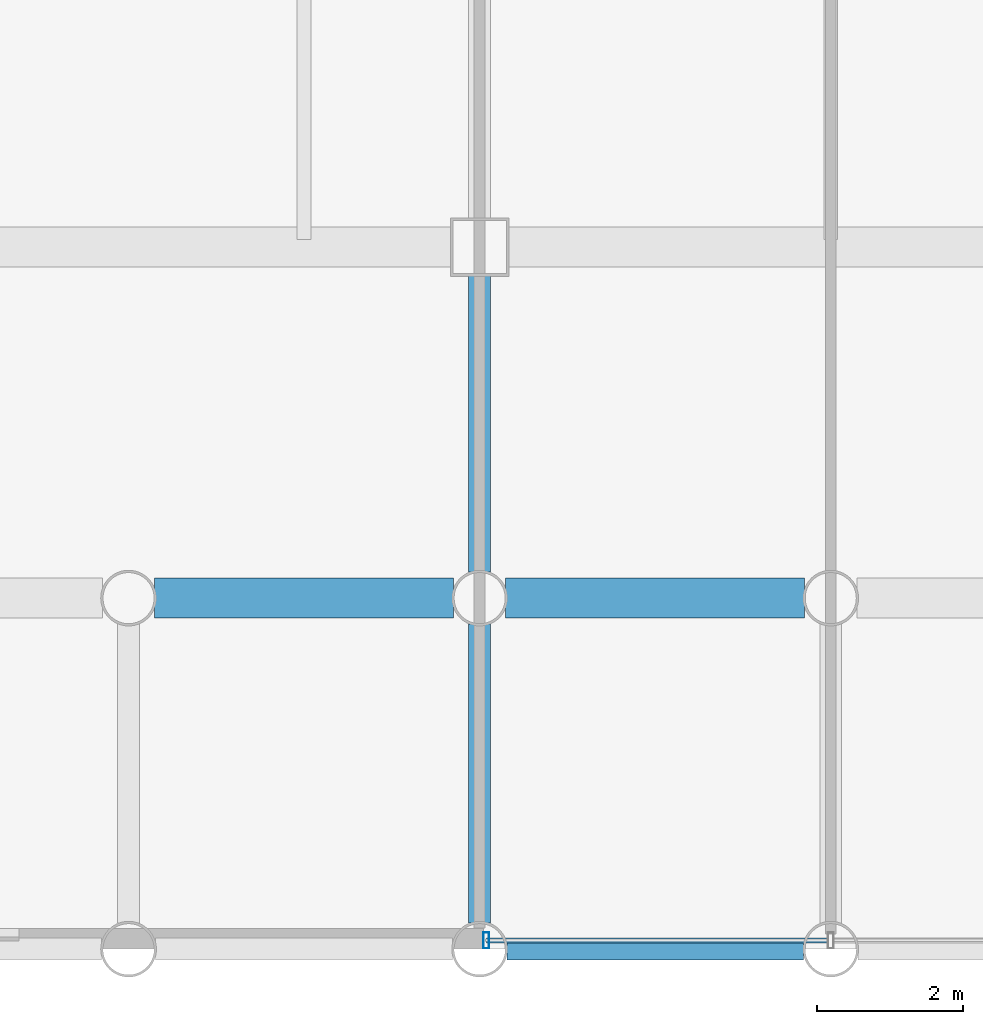
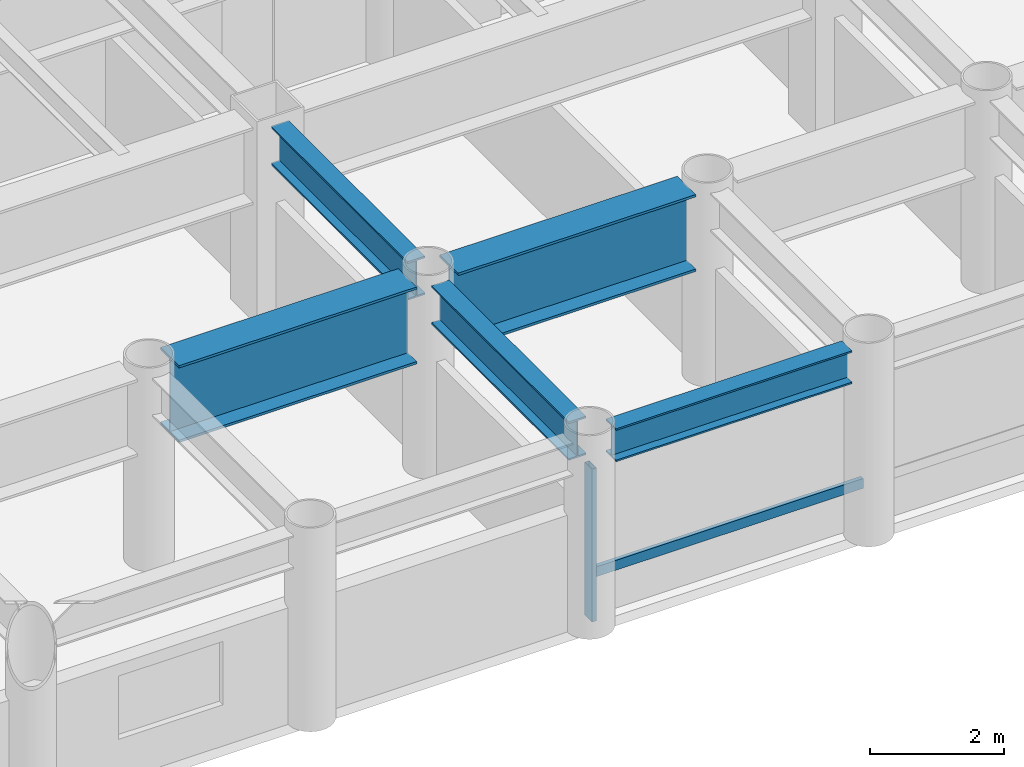
# One storey, part 4 of 26: 5 beams, 2 members, 1 element without a shape of its own.
"""IFC4 building model written with IfcOpenShell, lengths in metres."""

from ifc_helpers import new_model, si_unit, direction, frame, origin, origin_2d, place, context, subcontext, project, spatial, hollow_rectangle, i_section, extrude, material, layer, layer_set, material_profile, profile_set, type_object, element, aggregate, save


model = new_model("IFC4")

# Units and contexts
model_context = context("Model", 3, precision=1e-05, world=origin(), true_north=direction((0.0, 1.0)))
body_context = subcontext(model_context, "Body", "Model", "MODEL_VIEW")
ifc_project = project(units=[si_unit("LENGTHUNIT", "METRE"), si_unit("AREAUNIT", "SQUARE_METRE"), si_unit("VOLUMEUNIT", "CUBIC_METRE"), si_unit("PLANEANGLEUNIT", "RADIAN"), si_unit("MASSUNIT", "GRAM", prefix="KILO")], contexts=[model_context])

# Site, building, storey
site_placement = place(None, origin())
site = spatial("IfcSite", under=ifc_project, at=site_placement, CompositionType="ELEMENT")
building_placement = place(site_placement, origin())
building = spatial("IfcBuilding", under=site, at=building_placement, Name="Kallvorn Hotel Tower", CompositionType="ELEMENT")
storey_placement = place(building_placement, frame((0.0, 0.0, 55.89990234375)))
storey = spatial("IfcBuildingStorey", under=building, at=storey_placement, Name="L12", CompositionType="ELEMENT", Elevation=55.89990234375)

# Beams
ifc_material_1 = material(Name="Structural steel S355JR", Category="steel")
ifc_material_profile_1 = material_profile(ifc_material_1, i_section(OverallWidth=0.300048828125, OverallDepth=0.60009765625, WebThickness=0.015380859375, FlangeThickness=0.030029296875, at=origin_2d()), Name="HE 600 B")
ifc_profile_set_1 = profile_set([ifc_material_profile_1], Name="Structural steel S355JR")
beam_type_1 = type_object("IfcBeamType", Name="BM_HE600B", PredefinedType="SPANDREL", material=ifc_profile_set_1)
beam_1_placement = place(storey_placement, frame((-4.428955078125, -24.0, 3.22021484375), z_axis=(1.0, 0.0, 0.0), x_axis=(0.0, 1.0, 0.0)))
element("IfcBeam", 1, at=beam_1_placement, inside=storey, type_object=beam_type_1, Name="L13 Perimeter Spandrel 164", PredefinedType="SPANDREL", context=body_context, shape_type="SweptSolid", body=[
    extrude(i_section(OverallWidth=0.300048828125, OverallDepth=0.60009765625, WebThickness=0.015380859375, FlangeThickness=0.030029296875, at=origin_2d()), origin(), (0.0, 0.0, 1.0), 4.057861328125),
])
ifc_material_2 = material(Name="Structural steel S355JR", Category="steel")
ifc_material_profile_2 = material_profile(ifc_material_2, i_section(OverallWidth=0.300048828125, OverallDepth=0.699951171875, WebThickness=0.01708984375, FlangeThickness=0.031982421875, at=origin_2d()), Name="HE 700 B")
ifc_profile_set_2 = profile_set([ifc_material_profile_2], Name="Structural steel S355JR")
beam_type_2 = type_object("IfcBeamType", Name="BM_HE700B", PredefinedType="BEAM", material=ifc_profile_set_2)
beam_2_placement = place(storey_placement, frame((-4.800048828125, -23.64404296875, 3.170166015625), z_axis=(0.0, 1.0, 0.0), x_axis=(-1.0, 0.0, 0.0)))
element("IfcBeam", 2, at=beam_2_placement, inside=storey, type_object=beam_type_2, Name="L13 Primary Y-Girder 115", PredefinedType="BEAM", context=body_context, shape_type="SweptSolid", body=[
    extrude(i_section(OverallWidth=0.300048828125, OverallDepth=0.699951171875, WebThickness=0.01708984375, FlangeThickness=0.031982421875, at=origin_2d()), origin(), (0.0, 0.0, 1.0), 4.088134765625),
])
beam_3_placement = place(storey_placement, frame((-4.800048828125, -18.843994140625, 3.170166015625), z_axis=(0.0, 1.0, 0.0), x_axis=(-1.0, 0.0, 0.0)))
element("IfcBeam", 3, at=beam_3_placement, inside=storey, type_object=beam_type_2, Name="L13 Primary Y-Girder 116", PredefinedType="BEAM", context=body_context, shape_type="SweptSolid", body=[
    extrude(i_section(OverallWidth=0.300048828125, OverallDepth=0.699951171875, WebThickness=0.01708984375, FlangeThickness=0.031982421875, at=origin_2d()), origin(), (0.0, 0.0, 1.0), 4.069091796875),
])
ifc_material_3 = material(Name="Structural steel S355JR", Category="steel")
ifc_material_profile_3 = material_profile(ifc_material_3, i_section(OverallWidth=0.550048828125, OverallDepth=1.39990234375, WebThickness=0.02490234375, FlangeThickness=0.044921875, at=origin_2d()), Name="PG 1400x550x25x45")
ifc_profile_set_3 = profile_set([ifc_material_profile_3], Name="Structural steel S355JR")
beam_type_3 = type_object("IfcBeamType", Name="BM_PG_1400", PredefinedType="BEAM", material=ifc_profile_set_3)
beam_4_placement = place(storey_placement, frame((-9.243896484375, -19.199951171875, 2.820068359375), z_axis=(1.0, 0.0, 0.0), x_axis=(0.0, 1.0, 0.0)))
element("IfcBeam", 4, at=beam_4_placement, inside=storey, type_object=beam_type_3, Name="L13 Primary X-Girder 15", PredefinedType="BEAM", context=body_context, shape_type="SweptSolid", body=[
    extrude(i_section(OverallWidth=0.550048828125, OverallDepth=1.39990234375, WebThickness=0.02490234375, FlangeThickness=0.044921875, at=origin_2d()), origin(), (0.0, 0.0, 1.0), 4.087890625),
])
beam_5_placement = place(storey_placement, frame((-4.444091796875, -19.199951171875, 2.820068359375), z_axis=(1.0, 0.0, 0.0), x_axis=(0.0, 1.0, 0.0)))
element("IfcBeam", 5, at=beam_5_placement, inside=storey, type_object=beam_type_3, Name="L13 Primary X-Girder 16", PredefinedType="BEAM", context=body_context, shape_type="SweptSolid", body=[
    extrude(i_section(OverallWidth=0.550048828125, OverallDepth=1.39990234375, WebThickness=0.02490234375, FlangeThickness=0.044921875, at=origin_2d()), origin(), (0.0, 0.0, 1.0), 4.088134765625),
])

# Curtain wall, members
ifc_material_4 = material(Name="Thermally broken black-anodised aluminium AA 6063-T6", Category="aluminium")
ifc_layer = layer(ifc_material_4, 0.199951171875)
ifc_layer_set = layer_set([ifc_layer], Name="CW_SYS_3_HOTEL_LOW")
curtain_wall_type = type_object("IfcCurtainWallType", Name="CW_SYS_3_HOTEL_LOW", PredefinedType="USERDEFINED", material=ifc_layer_set)
curtain_wall_placement = place(storey_placement, origin())
curtain_wall = element("IfcCurtainWall", 6, at=curtain_wall_placement, inside=storey, type_object=curtain_wall_type, Name="L12 Dark-Glass Curtain Wall CW-L12-SC", ObjectType="UNITISED CURTAIN WALL", PredefinedType="USERDEFINED")
ifc_material_5 = material(Name="Thermally broken black-anodised aluminium AA 6063-T6", Category="aluminium")
ifc_material_profile_4 = material_profile(ifc_material_5, hollow_rectangle(XDim=0.080078125, YDim=0.219970703125, WallThickness=0.0048828125, at=origin_2d()), Name="MUL 220x80")
ifc_profile_set_4 = profile_set([ifc_material_profile_4], Name="Thermally broken black-anodised aluminium AA 6063-T6")
member_type_1 = type_object("IfcMemberType", Name="CW_MULLION_220x80", PredefinedType="MULLION", material=ifc_profile_set_4)
member_1_placement = place(storey_placement, frame((-4.7099609375, -23.8798828125, 0.02001953125), z_axis=(0.0, 0.0, 1.0), x_axis=(1.0, 0.0, 0.0)))
member_1 = element("IfcMember", 7, at=member_1_placement, type_object=member_type_1, Name="CW-L12-SC Mullion 00", PredefinedType="MULLION", context=body_context, shape_type="SweptSolid", body=[
    extrude(hollow_rectangle(XDim=0.080078125, YDim=0.219970703125, WallThickness=0.0048828125, at=origin_2d()), origin(), (0.0, 0.0, 1.0), 2.780029296875),
])
ifc_material_6 = material(Name="Thermally broken black-anodised aluminium AA 6063-T6", Category="aluminium")
ifc_material_profile_5 = material_profile(ifc_material_6, hollow_rectangle(XDim=0.070068359375, YDim=0.179931640625, WallThickness=0.00390625, at=origin_2d()), Name="TRN 180x70")
ifc_profile_set_5 = profile_set([ifc_material_profile_5], Name="Thermally broken black-anodised aluminium AA 6063-T6")
member_type_2 = type_object("IfcMemberType", Name="CW_TRANSOM_180x70", PredefinedType="USERDEFINED", material=ifc_profile_set_5)
member_2_placement = place(storey_placement, frame((-4.7099609375, -23.8798828125, 0.85009765625), z_axis=(1.0, 0.0, 0.0), x_axis=(0.0, 1.0, 0.0)))
member_2 = element("IfcMember", 8, at=member_2_placement, type_object=member_type_2, Name="CW-L12-SC Transom 00M", ObjectType="TRANSOM", PredefinedType="USERDEFINED", context=body_context, shape_type="SweptSolid", body=[
    extrude(hollow_rectangle(XDim=0.070068359375, YDim=0.179931640625, WallThickness=0.00390625, at=origin_2d()), origin(), (0.0, 0.0, 1.0), 4.669921875),
])
aggregate(curtain_wall, [member_1, member_2])

save(model, "model.ifc")
